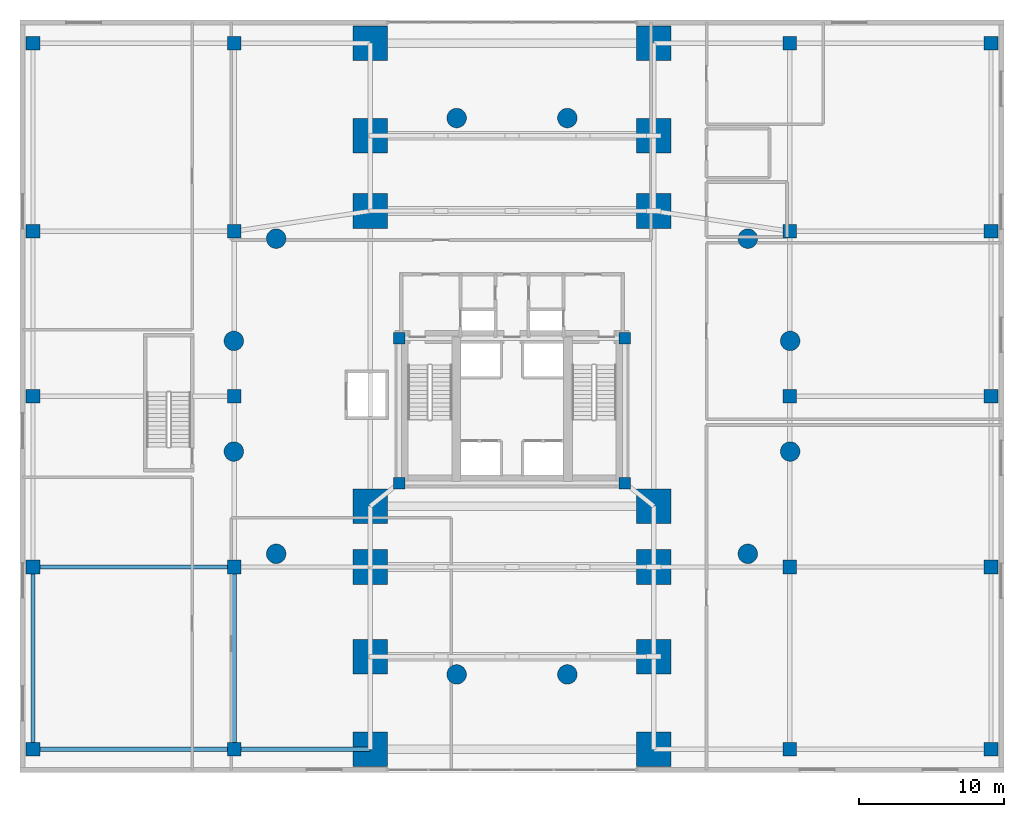
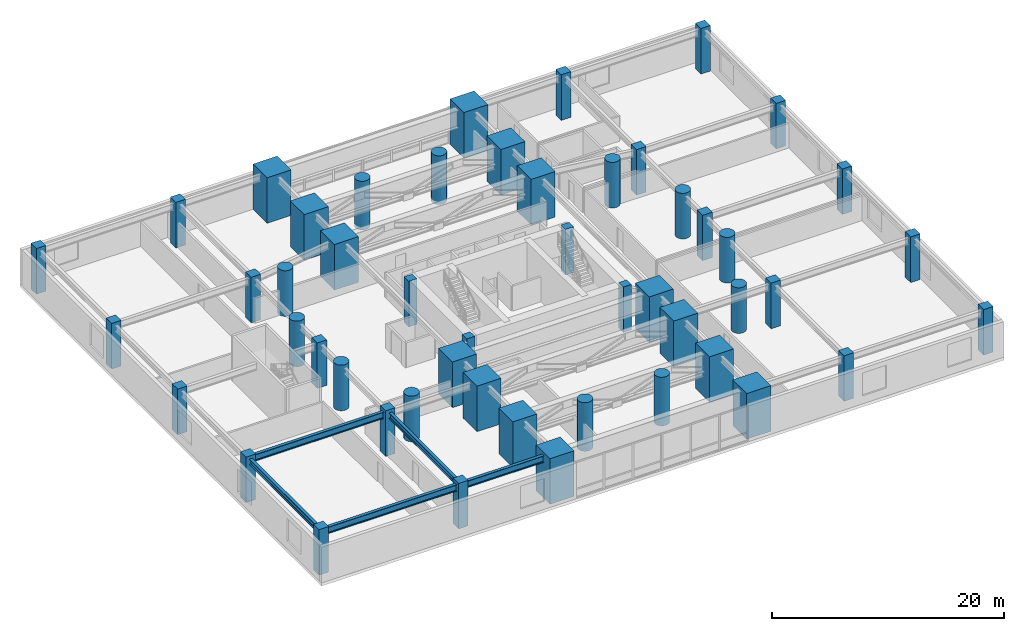
# One storey, part 1 of 17: 50 columns, 5 beams.
"""IFC4 building model written with IfcOpenShell, lengths in metres."""

from ifc_helpers import new_model, si_unit, direction, frame, origin, origin_2d, place, context, subcontext, project, spatial, rectangle, circle, i_section, extrude, material, material_profile, profile_set, type_object, element, save


model = new_model("IFC4")

# Units and contexts
model_context = context("Model", 3, precision=1e-05, world=origin(), true_north=direction((0.0, 1.0)))
body_context = subcontext(model_context, "Body", "Model", "MODEL_VIEW")
ifc_project = project(units=[si_unit("LENGTHUNIT", "METRE"), si_unit("AREAUNIT", "SQUARE_METRE"), si_unit("VOLUMEUNIT", "CUBIC_METRE"), si_unit("PLANEANGLEUNIT", "RADIAN"), si_unit("MASSUNIT", "GRAM", prefix="KILO"), si_unit("THERMODYNAMICTEMPERATUREUNIT", "KELVIN"), si_unit("POWERUNIT", "WATT")], contexts=[model_context])

# Site, building, storey
site_placement = place(None, origin())
site = spatial("IfcSite", under=ifc_project, at=site_placement, CompositionType="ELEMENT")
building_placement = place(site_placement, origin())
building = spatial("IfcBuilding", under=site, at=building_placement, Name="Ocrelia Relay Tower", CompositionType="ELEMENT")
storey_placement = place(building_placement, frame((0.0, 0.0, 15.60009765625)))
storey = spatial("IfcBuildingStorey", under=building, at=storey_placement, Name="L03", CompositionType="ELEMENT", Elevation=15.60009765625)

# Columns
ifc_material_1 = material(Name="Concrete C60/75", Category="concrete")
ifc_material_profile_1 = material_profile(ifc_material_1, rectangle(XDim=0.949951171875, YDim=0.949951171875, at=origin_2d()), Name="RC-COL-950x950")
ifc_profile_set_1 = profile_set([ifc_material_profile_1], Name="Concrete C60/75")
column_type_1 = type_object("IfcColumnType", Name="COL-CC-950", PredefinedType="COLUMN", material=ifc_profile_set_1)
for number, where, z_axis, x_axis, name in (
    (1, (0.89990234375, 1.60009765625, 0.0), (0.0, 0.0, 1.0), (1.0, 0.0, 0.0), "L03 Podium Column PC01"),
    (2, (0.89990234375, 14.199951171875, 0.0), (0.0, 0.0, 1.0), (1.0, 0.0, 0.0), "L03 Podium Column PC02"),
    (3, (0.89990234375, 26.0, 0.0), (0.0, 0.0, 1.0), (1.0, 0.0, 0.0), "L03 Podium Column PC03"),
    (4, (0.89990234375, 37.39990234375, 0.0), (0.0, 0.0, 1.0), (1.0, 0.0, 0.0), "L03 Podium Column PC04"),
    (5, (0.89990234375, 50.39990234375, 0.0), (0.0, 0.0, 1.0), (1.0, 0.0, 0.0), "L03 Podium Column PC05"),
    (6, (14.800048828125, 1.60009765625, 0.0), (0.0, 0.0, 1.0), (1.0, 0.0, 0.0), "L03 Podium Column PC06"),
    (7, (14.800048828125, 14.199951171875, 0.0), (0.0, 0.0, 1.0), (1.0, 0.0, 0.0), "L03 Podium Column PC07"),
    (8, (14.800048828125, 26.0, 0.0), (0.0, 0.0, 1.0), (1.0, 0.0, 0.0), "L03 Podium Column PC08"),
    (9, (14.800048828125, 37.39990234375, 0.0), (0.0, 0.0, 1.0), (1.0, 0.0, 0.0), "L03 Podium Column PC09"),
    (10, (14.800048828125, 50.39990234375, 0.0), (0.0, 0.0, 1.0), (1.0, 0.0, 0.0), "L03 Podium Column PC10"),
    (11, (53.199951171875, 1.60009765625, 0.0), (0.0, 0.0, 1.0), (1.0, 0.0, 0.0), "L03 Podium Column PC11"),
    (12, (53.199951171875, 14.199951171875, 0.0), (0.0, 0.0, 1.0), (1.0, 0.0, 0.0), "L03 Podium Column PC12"),
    (13, (53.199951171875, 26.0, 0.0), (0.0, 0.0, 1.0), (1.0, 0.0, 0.0), "L03 Podium Column PC13"),
    (14, (53.199951171875, 37.39990234375, 0.0), (0.0, 0.0, 1.0), (1.0, 0.0, 0.0), "L03 Podium Column PC14"),
    (15, (53.199951171875, 50.39990234375, 0.0), (0.0, 0.0, 1.0), (1.0, 0.0, 0.0), "L03 Podium Column PC15"),
    (16, (67.10009765625, 1.60009765625, 0.0), (0.0, 0.0, 1.0), (1.0, 0.0, 0.0), "L03 Podium Column PC16"),
    (17, (67.10009765625, 14.199951171875, 0.0), (0.0, 0.0, 1.0), (1.0, 0.0, 0.0), "L03 Podium Column PC17"),
    (18, (67.10009765625, 26.0, 0.0), (0.0, 0.0, 1.0), (1.0, 0.0, 0.0), "L03 Podium Column PC18"),
    (19, (67.10009765625, 37.39990234375, 0.0), (0.0, 0.0, 1.0), (1.0, 0.0, 0.0), "L03 Podium Column PC19"),
    (20, (67.10009765625, 50.39990234375, 0.0), (0.0, 0.0, 1.0), (1.0, 0.0, 0.0), "L03 Podium Column PC20"),
):
    element("IfcColumn", number, at=place(storey_placement, frame(where, z_axis=z_axis, x_axis=x_axis)), inside=storey, type_object=column_type_1, Name=name, PredefinedType="COLUMN", context=body_context, shape_type="SweptSolid", body=[
        extrude(rectangle(XDim=0.949951171875, YDim=0.949951171875, at=origin_2d()), origin(), (0.0, 0.0, 1.0), 4.7998046875),
    ])
ifc_material_2 = material(Name="Concrete C70/85", Category="concrete")
ifc_material_profile_2 = material_profile(ifc_material_2, circle(Radius=0.675048828125, at=origin_2d()), Name="RC-CIR-1350")
ifc_profile_set_2 = profile_set([ifc_material_profile_2], Name="Concrete C70/85")
column_type_2 = type_object("IfcColumnType", Name="COL-CT-1350", PredefinedType="COLUMN", material=ifc_profile_set_2)
for number, where, z_axis, x_axis, name in (
    (21, (53.223388671875, 29.82373046875, 0.0), (0.0, 0.0, 1.0), (1.0, 0.0, 0.0), "L03 Tower Ring Column Z1-01"),
    (22, (50.296875, 36.88916015625, 0.0), (0.0, 0.0, 1.0), (1.0, 0.0, 0.0), "L03 Tower Ring Column Z1-02"),
):
    element("IfcColumn", number, at=place(storey_placement, frame(where, z_axis=z_axis, x_axis=x_axis)), inside=storey, type_object=column_type_2, Name=name, PredefinedType="COLUMN", context=body_context, shape_type="SweptSolid", body=[
        extrude(circle(Radius=0.675048828125, at=origin_2d()), origin(), (0.0, 0.0, 1.0), 4.7998046875),
    ])
for number, where, z_axis, x_axis, name in (
    (23, (37.82373046875, 45.223388671875, -0.320068359375), (0.0, 0.0, 1.0), (1.0, 0.0, 0.0), "L03 Tower Ring Column Z1-04"),
    (24, (30.17626953125, 45.223388671875, -0.320068359375), (0.0, 0.0, 1.0), (1.0, 0.0, 0.0), "L03 Tower Ring Column Z1-05"),
):
    element("IfcColumn", number, at=place(storey_placement, frame(where, z_axis=z_axis, x_axis=x_axis)), inside=storey, type_object=column_type_2, Name=name, PredefinedType="COLUMN", context=body_context, shape_type="SweptSolid", body=[
        extrude(circle(Radius=0.675048828125, at=origin_2d()), origin(), (0.0, 0.0, 1.0), 5.119873046875),
    ])
for number, where, z_axis, x_axis, name in (
    (25, (17.703125, 36.88916015625, 0.0), (0.0, 0.0, 1.0), (1.0, 0.0, 0.0), "L03 Tower Ring Column Z1-07"),
    (26, (14.776611328125, 29.82373046875, 0.0), (0.0, 0.0, 1.0), (1.0, 0.0, 0.0), "L03 Tower Ring Column Z1-08"),
    (27, (14.776611328125, 22.17626953125, 0.0), (0.0, 0.0, 1.0), (1.0, 0.0, 0.0), "L03 Tower Ring Column Z1-09"),
    (28, (17.703125, 15.11083984375, 0.0), (0.0, 0.0, 1.0), (1.0, 0.0, 0.0), "L03 Tower Ring Column Z1-10"),
):
    element("IfcColumn", number, at=place(storey_placement, frame(where, z_axis=z_axis, x_axis=x_axis)), inside=storey, type_object=column_type_2, Name=name, PredefinedType="COLUMN", context=body_context, shape_type="SweptSolid", body=[
        extrude(circle(Radius=0.675048828125, at=origin_2d()), origin(), (0.0, 0.0, 1.0), 4.7998046875),
    ])
for number, where, z_axis, x_axis, name in (
    (29, (30.17626953125, 6.776611328125, -0.320068359375), (0.0, 0.0, 1.0), (1.0, 0.0, 0.0), "L03 Tower Ring Column Z1-12"),
    (30, (37.82373046875, 6.776611328125, -0.320068359375), (0.0, 0.0, 1.0), (1.0, 0.0, 0.0), "L03 Tower Ring Column Z1-13"),
):
    element("IfcColumn", number, at=place(storey_placement, frame(where, z_axis=z_axis, x_axis=x_axis)), inside=storey, type_object=column_type_2, Name=name, PredefinedType="COLUMN", context=body_context, shape_type="SweptSolid", body=[
        extrude(circle(Radius=0.675048828125, at=origin_2d()), origin(), (0.0, 0.0, 1.0), 5.119873046875),
    ])
for number, where, z_axis, x_axis, name in (
    (31, (50.296875, 15.11083984375, 0.0), (0.0, 0.0, 1.0), (1.0, 0.0, 0.0), "L03 Tower Ring Column Z1-15"),
    (32, (53.223388671875, 22.17626953125, 0.0), (0.0, 0.0, 1.0), (1.0, 0.0, 0.0), "L03 Tower Ring Column Z1-16"),
):
    element("IfcColumn", number, at=place(storey_placement, frame(where, z_axis=z_axis, x_axis=x_axis)), inside=storey, type_object=column_type_2, Name=name, PredefinedType="COLUMN", context=body_context, shape_type="SweptSolid", body=[
        extrude(circle(Radius=0.675048828125, at=origin_2d()), origin(), (0.0, 0.0, 1.0), 4.7998046875),
    ])
ifc_material_profile_3 = material_profile(ifc_material_2, rectangle(XDim=2.39990234375, YDim=2.39990234375, at=origin_2d()), Name="RC-PIER-2400x2400")
ifc_profile_set_3 = profile_set([ifc_material_profile_3], Name="Concrete C70/85")
column_type_3 = type_object("IfcColumnType", Name="COL-PIER-2400", PredefinedType="USERDEFINED", material=ifc_profile_set_3)
for number, where, z_axis, x_axis, name in (
    (33, (24.199951171875, 1.60009765625, 0.0), (0.0, 0.0, 1.0), (1.0, 0.0, 0.0), "L03 Portal Arch Pier P01"),
    (34, (24.199951171875, 8.0, 0.0), (0.0, 0.0, 1.0), (1.0, 0.0, 0.0), "L03 Portal Arch Pier P02"),
    (35, (24.199951171875, 14.199951171875, 0.0), (0.0, 0.0, 1.0), (1.0, 0.0, 0.0), "L03 Portal Arch Pier P03"),
    (36, (24.199951171875, 18.39990234375, 0.0), (0.0, 0.0, 1.0), (1.0, 0.0, 0.0), "L03 Portal Arch Pier P04"),
    (37, (24.199951171875, 38.800048828125, 0.0), (0.0, 0.0, 1.0), (1.0, 0.0, 0.0), "L03 Portal Arch Pier P05"),
    (38, (24.199951171875, 44.0, 0.0), (0.0, 0.0, 1.0), (1.0, 0.0, 0.0), "L03 Portal Arch Pier P06"),
    (39, (24.199951171875, 50.39990234375, 0.0), (0.0, 0.0, 1.0), (1.0, 0.0, 0.0), "L03 Portal Arch Pier P07"),
    (40, (43.800048828125, 1.60009765625, 0.0), (0.0, 0.0, 1.0), (1.0, 0.0, 0.0), "L03 Portal Arch Pier P08"),
    (41, (43.800048828125, 8.0, 0.0), (0.0, 0.0, 1.0), (1.0, 0.0, 0.0), "L03 Portal Arch Pier P09"),
    (42, (43.800048828125, 14.199951171875, 0.0), (0.0, 0.0, 1.0), (1.0, 0.0, 0.0), "L03 Portal Arch Pier P10"),
    (43, (43.800048828125, 18.39990234375, 0.0), (0.0, 0.0, 1.0), (1.0, 0.0, 0.0), "L03 Portal Arch Pier P11"),
    (44, (43.800048828125, 38.800048828125, 0.0), (0.0, 0.0, 1.0), (1.0, 0.0, 0.0), "L03 Portal Arch Pier P12"),
    (45, (43.800048828125, 44.0, 0.0), (0.0, 0.0, 1.0), (1.0, 0.0, 0.0), "L03 Portal Arch Pier P13"),
    (46, (43.800048828125, 50.39990234375, 0.0), (0.0, 0.0, 1.0), (1.0, 0.0, 0.0), "L03 Portal Arch Pier P14"),
):
    element("IfcColumn", number, at=place(storey_placement, frame(where, z_axis=z_axis, x_axis=x_axis)), inside=storey, type_object=column_type_3, Name=name, ObjectType="PORTAL PIER", PredefinedType="USERDEFINED", context=body_context, shape_type="SweptSolid", body=[
        extrude(rectangle(XDim=2.39990234375, YDim=2.39990234375, at=origin_2d()), origin(), (0.0, 0.0, 1.0), 4.7998046875),
    ])
ifc_material_profile_4 = material_profile(ifc_material_1, rectangle(XDim=0.800048828125, YDim=0.800048828125, at=origin_2d()), Name="RC-COL-800x800")
ifc_profile_set_4 = profile_set([ifc_material_profile_4], Name="Concrete C60/75")
column_type_4 = type_object("IfcColumnType", Name="COL-PILASTER-800", PredefinedType="PILASTER", material=ifc_profile_set_4)
for number, where, z_axis, x_axis, name in (
    (47, (26.199951171875, 20.0, 0.0), (0.0, 0.0, 1.0), (1.0, 0.0, 0.0), "L03 Core Corner Pilaster SW"),
    (48, (41.800048828125, 20.0, 0.0), (0.0, 0.0, 1.0), (1.0, 0.0, 0.0), "L03 Core Corner Pilaster SE"),
    (49, (26.199951171875, 30.0, 0.0), (0.0, 0.0, 1.0), (1.0, 0.0, 0.0), "L03 Core Corner Pilaster NW"),
    (50, (41.800048828125, 30.0, 0.0), (0.0, 0.0, 1.0), (1.0, 0.0, 0.0), "L03 Core Corner Pilaster NE"),
):
    element("IfcColumn", number, at=place(storey_placement, frame(where, z_axis=z_axis, x_axis=x_axis)), inside=storey, type_object=column_type_4, Name=name, PredefinedType="PILASTER", context=body_context, shape_type="SweptSolid", body=[
        extrude(rectangle(XDim=0.800048828125, YDim=0.800048828125, at=origin_2d()), origin(), (0.0, 0.0, 1.0), 4.7998046875),
    ])

# Beams
ifc_material_3 = material(Name="Steel S355", Category="steel")
ifc_material_profile_5 = material_profile(ifc_material_3, i_section(OverallWidth=0.300048828125, OverallDepth=0.60009765625, WebThickness=0.015380859375, FlangeThickness=0.030029296875, FilletRadius=0.027099609375, at=origin_2d()), Name="HEB 600")
ifc_profile_set_5 = profile_set([ifc_material_profile_5], Name="Steel S355")
beam_type_1 = type_object("IfcBeamType", Name="BM-HEB600", PredefinedType="BEAM", material=ifc_profile_set_5)
for number, where, z_axis, x_axis, name in (
    (51, (0.89990234375, 1.60009765625, 4.179931640625), (0.0, 1.0, 0.0), (-1.0, 0.0, 0.0), "L03 Podium Span Girder W-1"),
    (52, (14.800048828125, 1.60009765625, 4.179931640625), (0.0, 1.0, 0.0), (-1.0, 0.0, 0.0), "L03 Podium Span Girder IW-1"),
):
    element("IfcBeam", number, at=place(storey_placement, frame(where, z_axis=z_axis, x_axis=x_axis)), inside=storey, type_object=beam_type_1, Name=name, PredefinedType="BEAM", context=body_context, shape_type="SweptSolid", body=[
        extrude(i_section(OverallWidth=0.300048828125, OverallDepth=0.60009765625, WebThickness=0.015380859375, FlangeThickness=0.030029296875, FilletRadius=0.027099609375, at=origin_2d()), origin(), (0.0, 0.0, 1.0), 12.599853515625),
    ])
ifc_material_profile_6 = material_profile(ifc_material_3, i_section(OverallWidth=0.300048828125, OverallDepth=0.699951171875, WebThickness=0.01708984375, FlangeThickness=0.031982421875, FilletRadius=0.027099609375, at=origin_2d()), Name="HEB 700")
ifc_profile_set_6 = profile_set([ifc_material_profile_6], Name="Steel S355")
beam_type_2 = type_object("IfcBeamType", Name="BM-HEB700", PredefinedType="BEAM", material=ifc_profile_set_6)
beam_1_placement = place(storey_placement, frame((0.89990234375, 1.60009765625, 4.1298828125), z_axis=(1.0, 0.0, 0.0), x_axis=(0.0, 1.0, 0.0)))
element("IfcBeam", 53, at=beam_1_placement, inside=storey, type_object=beam_type_2, Name="L03 West Outer Podium Girder S", PredefinedType="BEAM", context=body_context, shape_type="SweptSolid", body=[
    extrude(i_section(OverallWidth=0.300048828125, OverallDepth=0.699951171875, WebThickness=0.01708984375, FlangeThickness=0.031982421875, FilletRadius=0.027099609375, at=origin_2d()), origin(), (0.0, 0.0, 1.0), 13.900146484375),
])
beam_2_placement = place(storey_placement, frame((14.800048828125, 1.60009765625, 4.1298828125), z_axis=(1.0, 0.0, 0.0), x_axis=(0.0, 1.0, 0.0)))
element("IfcBeam", 54, at=beam_2_placement, inside=storey, type_object=beam_type_2, Name="L03 West Inner Podium Girder S", PredefinedType="BEAM", context=body_context, shape_type="SweptSolid", body=[
    extrude(i_section(OverallWidth=0.300048828125, OverallDepth=0.699951171875, WebThickness=0.01708984375, FlangeThickness=0.031982421875, FilletRadius=0.027099609375, at=origin_2d()), origin(), (0.0, 0.0, 1.0), 9.39990234375),
])
beam_3_placement = place(storey_placement, frame((0.89990234375, 14.199951171875, 4.1298828125), z_axis=(1.0, 0.0, 0.0), x_axis=(0.0, 1.0, 0.0)))
element("IfcBeam", 55, at=beam_3_placement, inside=storey, type_object=beam_type_2, Name="L03 West Outer Podium Girder M1", PredefinedType="BEAM", context=body_context, shape_type="SweptSolid", body=[
    extrude(i_section(OverallWidth=0.300048828125, OverallDepth=0.699951171875, WebThickness=0.01708984375, FlangeThickness=0.031982421875, FilletRadius=0.027099609375, at=origin_2d()), origin(), (0.0, 0.0, 1.0), 13.900146484375),
])

save(model, "model.ifc")
